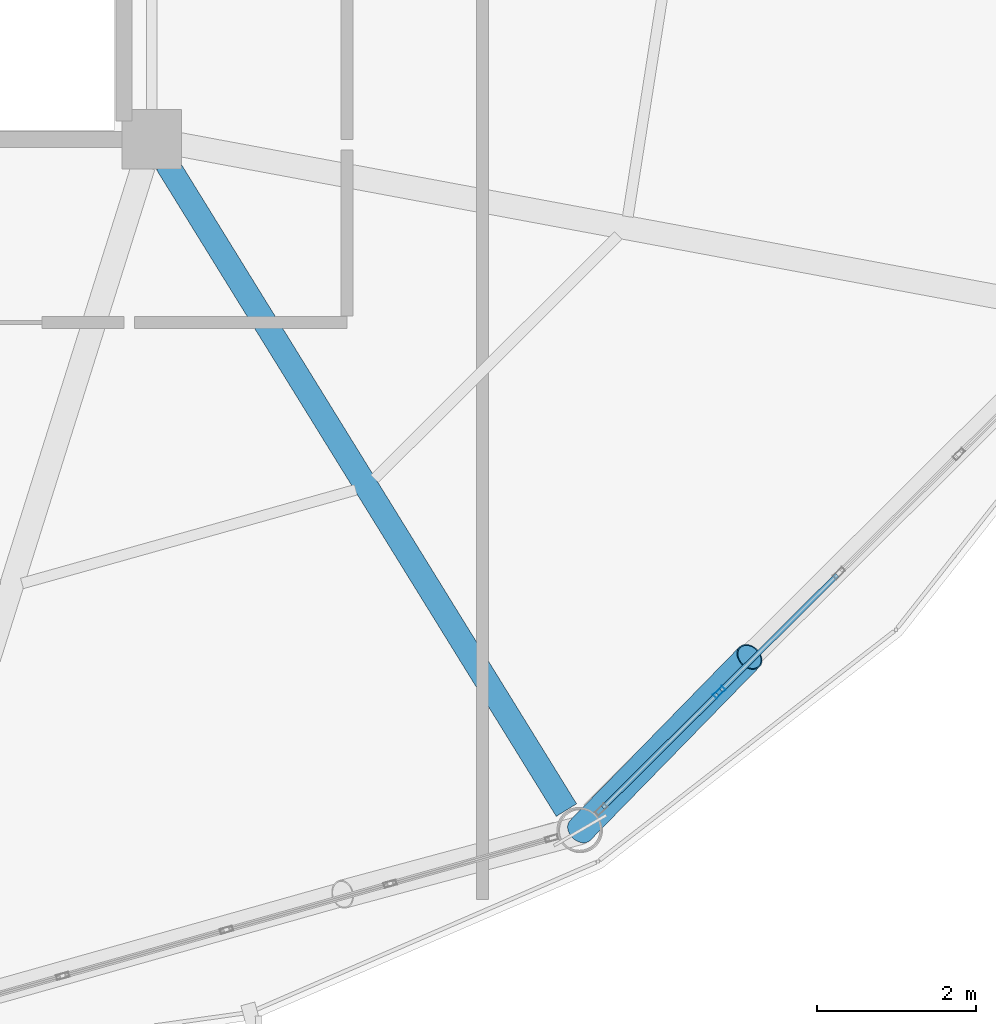
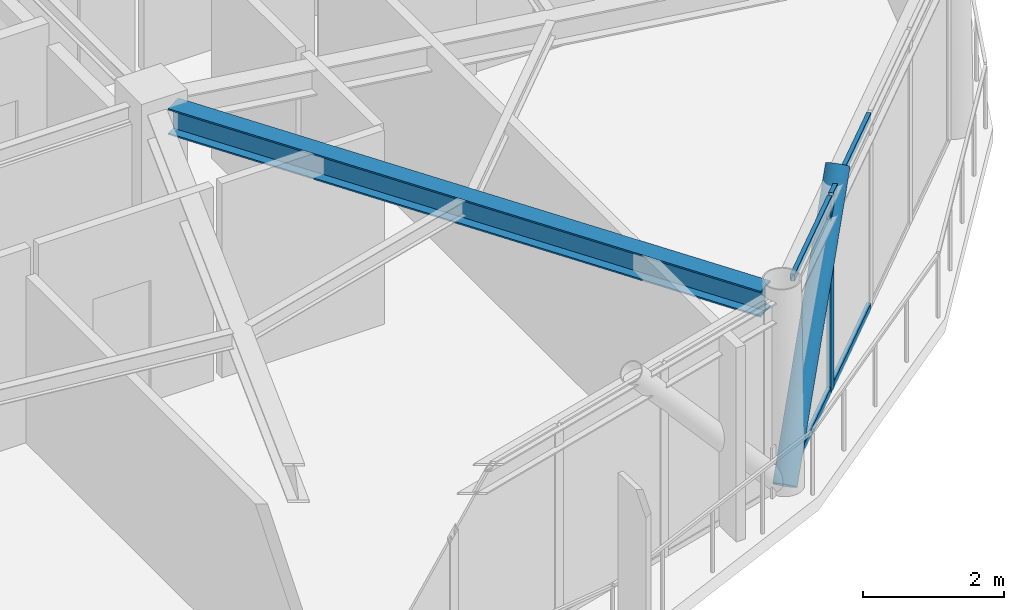
# One storey, part 7 of 24: 6 members, 1 beam, 1 element without a shape of its own.
"""IFC4 building model written with IfcOpenShell, lengths in metres."""

from ifc_helpers import new_model, si_unit, direction, frame, origin, origin_2d, place, context, subcontext, project, spatial, hollow_rectangle, hollow_circle, i_section, extrude, material, layer, layer_set, material_profile, profile_set, type_object, element, aggregate, save


model = new_model("IFC4")

# Units and contexts
model_context = context("Model", 3, precision=1e-05, world=origin(), true_north=direction((0.0, 1.0)))
body_context = subcontext(model_context, "Body", "Model", "MODEL_VIEW")
ifc_project = project(units=[si_unit("LENGTHUNIT", "METRE"), si_unit("AREAUNIT", "SQUARE_METRE"), si_unit("VOLUMEUNIT", "CUBIC_METRE"), si_unit("PLANEANGLEUNIT", "RADIAN"), si_unit("MASSUNIT", "GRAM", prefix="KILO")], contexts=[model_context])

# Site, building, storey
site_placement = place(None, origin())
site = spatial("IfcSite", under=ifc_project, at=site_placement, CompositionType="ELEMENT")
building_placement = place(site_placement, origin())
building = spatial("IfcBuilding", under=site, at=building_placement, Name="Varnakorn Sky Granary", CompositionType="ELEMENT")
storey_placement = place(building_placement, frame((0.0, 0.0, 281.39990234375)))
storey = spatial("IfcBuildingStorey", under=building, at=storey_placement, Name="L72", CompositionType="ELEMENT", Elevation=281.39990234375)

# Beam
ifc_material_1 = material(Name="Steel S355JR", Category="steel")
ifc_material_profile_1 = material_profile(ifc_material_1, i_section(OverallWidth=0.300048828125, OverallDepth=0.449951171875, WebThickness=0.013916015625, FlangeThickness=0.02587890625, at=origin_2d()), Name="HE 450 B")
ifc_profile_set_1 = profile_set([ifc_material_profile_1], Name="Steel S355JR")
beam_type = type_object("IfcBeamType", Name="BM-RAD-Z5", PredefinedType="BEAM", material=ifc_profile_set_1)
beam_placement = place(storey_placement, frame((8.53662109375, -6.902099609375, 3.135009765625), z_axis=(0.525817047401, -0.850597691428, 0.0), x_axis=(0.850597691428, 0.525817047401, 0.0)))
element("IfcBeam", 1, at=beam_placement, inside=storey, type_object=beam_type, Name="Radial Floor Girder RG11 L72", PredefinedType="BEAM", context=body_context, shape_type="SweptSolid", body=[
    extrude(i_section(OverallWidth=0.300048828125, OverallDepth=0.449951171875, WebThickness=0.013916015625, FlangeThickness=0.02587890625, at=origin_2d()), origin(), (0.0, 0.0, 1.0), 9.539306640625),
])

# Curtain wall, members
ifc_material_2 = material(Name="Anodised Bronze Aluminium Alloy 6063-T6", Category="aluminium")
ifc_layer = layer(ifc_material_2, 0.159912109375, Name="Anodised Bronze Aluminium Alloy 6063-T6")
ifc_layer_set = layer_set([ifc_layer], Name="Anodised Bronze Aluminium Alloy 6063-T6")
curtain_wall_type = type_object("IfcCurtainWallType", Name="CW-OFF-1", PredefinedType="USERDEFINED", material=ifc_layer_set)
curtain_wall_placement = place(storey_placement, origin())
curtain_wall = element("IfcCurtainWall", 2, at=curtain_wall_placement, inside=storey, type_object=curtain_wall_type, Name="Unitised Curtain Wall CW6 CW-L72-B11", ObjectType="CURTAIN WALL", PredefinedType="USERDEFINED")
ifc_material_profile_2 = material_profile(ifc_material_2, hollow_rectangle(XDim=0.06494140625, YDim=0.159912109375, WallThickness=0.00341796875, at=origin_2d()), Name="ALU MULL 65x160")
ifc_profile_set_2 = profile_set([ifc_material_profile_2], Name="Anodised Bronze Aluminium Alloy 6063-T6")
member_type_1 = type_object("IfcMemberType", Name="CW-OFF-1-MULL", PredefinedType="MULLION", material=ifc_profile_set_2)
member_1_placement = place(storey_placement, frame((15.4697265625, -13.537353515625, 0.0), z_axis=(0.0, 0.0, 1.0), x_axis=(0.704761759046, -0.709444052048, 0.0)))
member_1 = element("IfcMember", 3, at=member_1_placement, type_object=member_type_1, Name="CW6 mullion 4", PredefinedType="MULLION", context=body_context, shape_type="SweptSolid", body=[
    extrude(hollow_rectangle(XDim=0.06494140625, YDim=0.159912109375, WallThickness=0.00341796875, at=origin_2d()), origin(), (0.0, 0.0, 1.0), 3.360107421875),
])
ifc_material_profile_3 = material_profile(ifc_material_2, hollow_rectangle(XDim=0.06494140625, YDim=0.1201171875, WallThickness=0.00341796875, at=origin_2d()), Name="ALU TRAN 65x120")
ifc_profile_set_3 = profile_set([ifc_material_profile_3], Name="Anodised Bronze Aluminium Alloy 6063-T6")
member_type_2 = type_object("IfcMemberType", Name="CW-OFF-1-TRAN", PredefinedType="USERDEFINED", material=ifc_profile_set_3)
member_2_placement = place(storey_placement, frame((16.950439453125, -12.06640625, 0.03271484375), z_axis=(-0.709479204587, -0.704726371195, 0.0), x_axis=(0.704726371195, -0.709479204587, 0.0)))
member_2 = element("IfcMember", 4, at=member_2_placement, type_object=member_type_2, Name="CW6 transom 3.1", ObjectType="TRANSOM", PredefinedType="USERDEFINED", context=body_context, shape_type="SweptSolid", body=[
    extrude(hollow_rectangle(XDim=0.06494140625, YDim=0.1201171875, WallThickness=0.00341796875, at=origin_2d()), origin(), (0.0, 0.0, 1.0), 2.0546875),
])
member_3_placement = place(storey_placement, frame((16.950439453125, -12.06640625, 3.32763671875), z_axis=(-0.709479204587, -0.704726371195, 0.0), x_axis=(0.704726371195, -0.709479204587, 0.0)))
member_3 = element("IfcMember", 5, at=member_3_placement, type_object=member_type_2, Name="CW6 transom 3.2", ObjectType="TRANSOM", PredefinedType="USERDEFINED", context=body_context, shape_type="SweptSolid", body=[
    extrude(hollow_rectangle(XDim=0.06494140625, YDim=0.1201171875, WallThickness=0.00341796875, at=origin_2d()), origin(), (0.0, 0.0, 1.0), 2.0546875),
])
member_4_placement = place(storey_placement, frame((15.446533203125, -13.560302734375, 0.03271484375), z_axis=(-0.709396889916, -0.704809231336, 0.0), x_axis=(0.704809231336, -0.709396889916, 0.0)))
member_4 = element("IfcMember", 6, at=member_4_placement, type_object=member_type_2, Name="CW6 transom 4.1", ObjectType="TRANSOM", PredefinedType="USERDEFINED", context=body_context, shape_type="SweptSolid", body=[
    extrude(hollow_rectangle(XDim=0.06494140625, YDim=0.1201171875, WallThickness=0.00341796875, at=origin_2d()), origin(), (0.0, 0.0, 1.0), 2.022216796875),
])
member_5_placement = place(storey_placement, frame((15.446533203125, -13.560302734375, 3.32763671875), z_axis=(-0.709396889916, -0.704809231336, 0.0), x_axis=(0.704809231336, -0.709396889916, 0.0)))
member_5 = element("IfcMember", 7, at=member_5_placement, type_object=member_type_2, Name="CW6 transom 4.2", ObjectType="TRANSOM", PredefinedType="USERDEFINED", context=body_context, shape_type="SweptSolid", body=[
    extrude(hollow_rectangle(XDim=0.06494140625, YDim=0.1201171875, WallThickness=0.00341796875, at=origin_2d()), origin(), (0.0, 0.0, 1.0), 2.022216796875),
])
aggregate(curtain_wall, [member_1, member_2, member_3, member_4, member_5])

# Member
ifc_material_3 = material(Name="Steel S460M", Category="steel")
ifc_material_profile_4 = material_profile(ifc_material_3, hollow_circle(Radius=0.177734375, WallThickness=0.01416015625, at=origin_2d()), Name="CHS 355.6x14")
ifc_profile_set_4 = profile_set([ifc_material_profile_4], Name="Steel S460M")
member_type_3 = type_object("IfcMemberType", Name="MB-DIAG-T5", PredefinedType="BRACE", material=ifc_profile_set_4)
member_6_placement = place(storey_placement, frame((13.72509765625, -15.2705078125, 0.0), z_axis=(0.458839922845, 0.470179070364, 0.753921459434), x_axis=(-0.715684070406, 0.698424162932, 0.0)))
element("IfcMember", 8, at=member_6_placement, inside=storey, type_object=member_type_3, Name="Perimeter CHS Diagrid Brace DG11 L72", PredefinedType="BRACE", context=body_context, shape_type="SweptSolid", body=[
    extrude(hollow_circle(Radius=0.177734375, WallThickness=0.01416015625, at=origin_2d()), origin(), (0.0, 0.0, 1.0), 4.629150390625),
])

save(model, "model.ifc")
